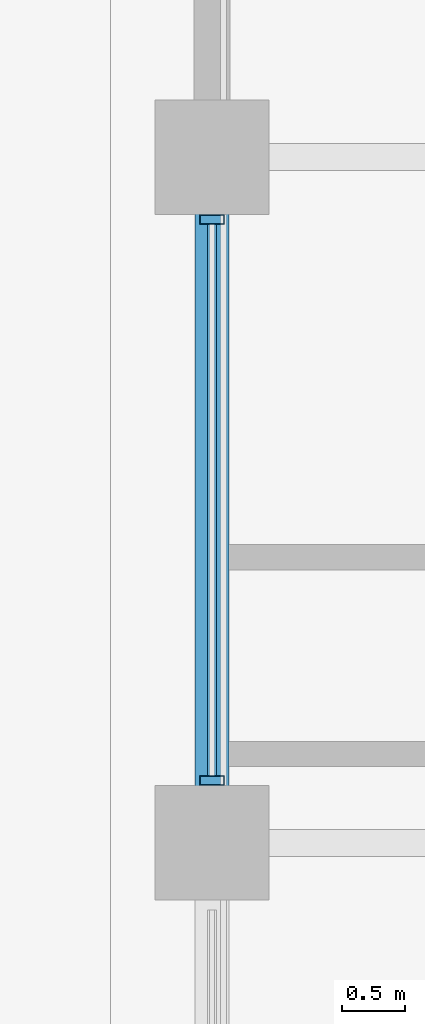
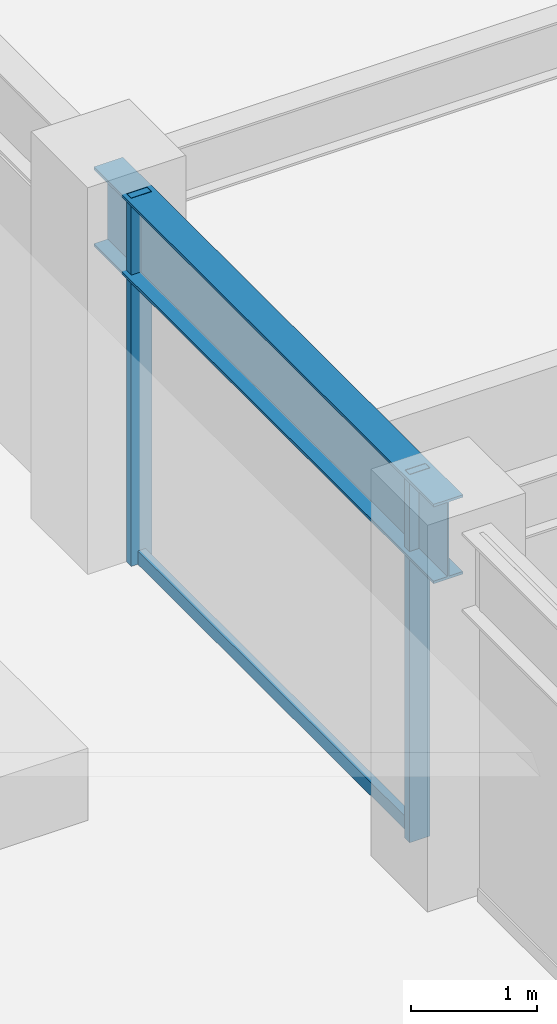
# One storey, part 7 of 36: 3 members, 1 beam, 1 element without a shape of its own.
"""IFC4 building model written with IfcOpenShell, lengths in metres."""

from ifc_helpers import new_model, si_unit, direction, frame, origin, origin_2d, place, context, subcontext, project, spatial, hollow_rectangle, i_section, extrude, material, layer, layer_set, material_profile, profile_set, type_object, element, aggregate, save


model = new_model("IFC4")

# Units and contexts
model_context = context("Model", 3, precision=1e-05, world=origin(), true_north=direction((0.0, 1.0)))
body_context = subcontext(model_context, "Body", "Model", "MODEL_VIEW")
ifc_project = project(units=[si_unit("LENGTHUNIT", "METRE"), si_unit("AREAUNIT", "SQUARE_METRE"), si_unit("VOLUMEUNIT", "CUBIC_METRE"), si_unit("PLANEANGLEUNIT", "RADIAN"), si_unit("MASSUNIT", "GRAM", prefix="KILO")], contexts=[model_context])

# Site, building, storey
site_placement = place(None, origin())
site = spatial("IfcSite", under=ifc_project, at=site_placement, CompositionType="ELEMENT")
building_placement = place(site_placement, origin())
building = spatial("IfcBuilding", under=site, at=building_placement, Name="Surkhivell Harbour Commons", CompositionType="ELEMENT")
storey_placement = place(building_placement, frame((0.0, 0.0, 171.0)))
storey = spatial("IfcBuildingStorey", under=building, at=storey_placement, Name="L44", CompositionType="ELEMENT", Elevation=171.0)

# Beam
ifc_material_1 = material(Name="Steel S355", Category="steel")
ifc_material_profile_1 = material_profile(ifc_material_1, i_section(OverallWidth=0.26806640625, OverallDepth=0.77001953125, WebThickness=0.015625, FlangeThickness=0.025390625, at=origin_2d()), Name="UB762x267x197")
ifc_profile_set_1 = profile_set([ifc_material_profile_1], Name="Steel S355")
beam_type = type_object("IfcBeamType", Name="BM-SPN-762", PredefinedType="SPANDREL", material=ifc_profile_set_1)
beam_placement = place(storey_placement, frame((-27.0, -5.39990234375, 3.18505859375), z_axis=(0.0, 1.0, 0.0), x_axis=(-1.0, 0.0, 0.0)))
element("IfcBeam", 1, at=beam_placement, inside=storey, type_object=beam_type, Name="L44 Tube Spandrel (-27.0,-5.4)", PredefinedType="SPANDREL", context=body_context, shape_type="SweptSolid", body=[
    extrude(i_section(OverallWidth=0.26806640625, OverallDepth=0.77001953125, WebThickness=0.015625, FlangeThickness=0.025390625, at=origin_2d()), origin(), (0.0, 0.0, 1.0), 5.39990234375),
])

# Curtain wall, members
ifc_material_2 = material(Name="Anodised pale-metal aluminium and insulated glazing", Category="aluminium")
ifc_layer = layer(ifc_material_2, 0.18994140625)
ifc_layer_set = layer_set([ifc_layer], Name="Anodised pale-metal aluminium and insulated glazing")
curtain_wall_type = type_object("IfcCurtainWallType", Name="CW-SYS-Z3", PredefinedType="NOTDEFINED", material=ifc_layer_set)
curtain_wall_placement = place(storey_placement, origin())
curtain_wall = element("IfcCurtainWall", 2, at=curtain_wall_placement, inside=storey, type_object=curtain_wall_type, Name="L44 Curtain Wall CW-L44-E12AS1", PredefinedType="NOTDEFINED")
ifc_material_3 = material(Name="Anodised pale-metal aluminium alloy 6063-T6", Category="aluminium")
ifc_material_profile_2 = material_profile(ifc_material_3, hollow_rectangle(XDim=0.074951171875, YDim=0.18994140625, WallThickness=0.00390625, at=origin_2d()), Name="ALU-MULL-75x190")
ifc_profile_set_2 = profile_set([ifc_material_profile_2], Name="Anodised pale-metal aluminium alloy 6063-T6")
member_type_1 = type_object("IfcMemberType", Name="CWM-190", PredefinedType="MULLION", material=ifc_profile_set_2)
member_1_placement = place(storey_placement, frame((-27.0, -4.910400390625, 0.0), z_axis=(0.0, 0.0, 1.0), x_axis=(0.0, 1.0, 0.0)))
member_1 = element("IfcMember", 3, at=member_1_placement, type_object=member_type_1, Name="CW-Z3 mullion 2", PredefinedType="MULLION", context=body_context, shape_type="SweptSolid", body=[
    extrude(hollow_rectangle(XDim=0.074951171875, YDim=0.18994140625, WallThickness=0.00390625, at=origin_2d()), origin(), (0.0, 0.0, 1.0), 3.570068359375),
])
member_2_placement = place(storey_placement, frame((-27.0, -0.489501953125, 0.0), z_axis=(0.0, 0.0, 1.0), x_axis=(0.0, 1.0, 0.0)))
member_2 = element("IfcMember", 4, at=member_2_placement, type_object=member_type_1, Name="CW-Z3 mullion 3", PredefinedType="MULLION", context=body_context, shape_type="SweptSolid", body=[
    extrude(hollow_rectangle(XDim=0.074951171875, YDim=0.18994140625, WallThickness=0.00390625, at=origin_2d()), origin(), (0.0, 0.0, 1.0), 3.570068359375),
])
ifc_material_4 = material(Name="Champagne anodised aluminium alloy 6063-T6", Category="aluminium")
ifc_material_profile_3 = material_profile(ifc_material_4, hollow_rectangle(XDim=0.070068359375, YDim=0.1298828125, WallThickness=0.00341796875, at=origin_2d()), Name="ALU-TRAN-70x130")
ifc_profile_set_3 = profile_set([ifc_material_profile_3], Name="Champagne anodised aluminium alloy 6063-T6")
member_type_2 = type_object("IfcMemberType", Name="CWT-130", PredefinedType="USERDEFINED", material=ifc_profile_set_3)
member_3_placement = place(storey_placement, frame((-27.0, -4.873046875, 0.06494140625), z_axis=(0.0, 1.0, 0.0), x_axis=(-1.0, 0.0, 0.0)))
member_3 = element("IfcMember", 5, at=member_3_placement, type_object=member_type_2, Name="CW-Z3 transom 2.1", ObjectType="TRANSOM", PredefinedType="USERDEFINED", context=body_context, shape_type="SweptSolid", body=[
    extrude(hollow_rectangle(XDim=0.070068359375, YDim=0.1298828125, WallThickness=0.00341796875, at=origin_2d()), origin(), (0.0, 0.0, 1.0), 4.345947265625),
])
aggregate(curtain_wall, [member_1, member_2, member_3])

save(model, "model.ifc")
